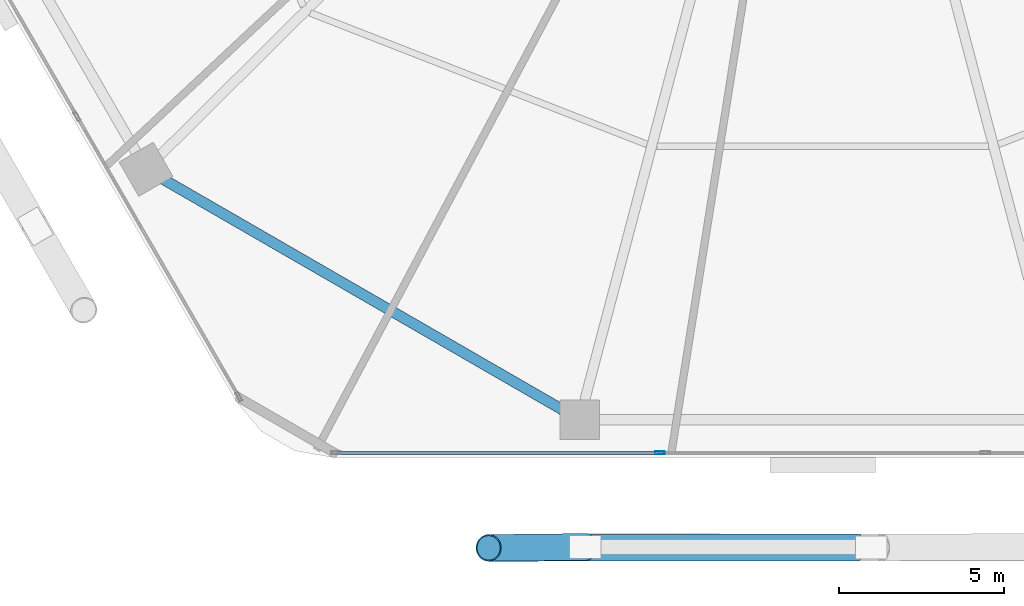
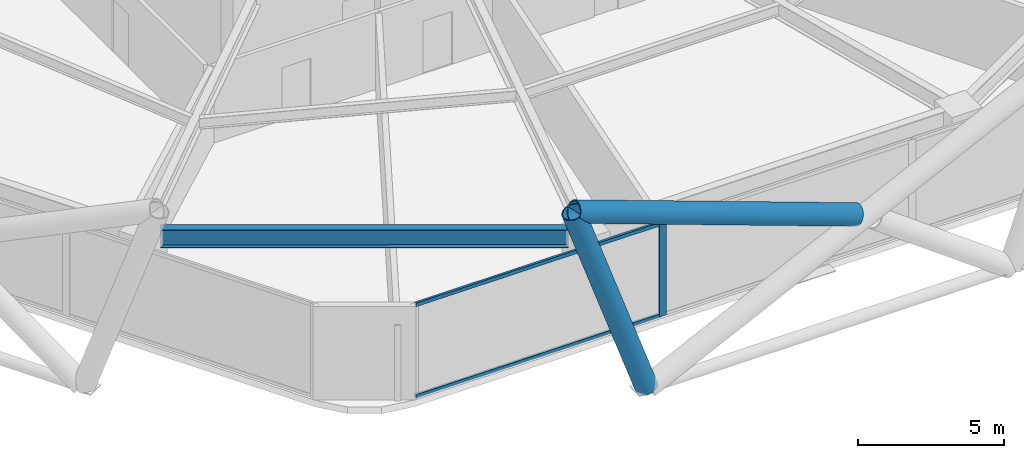
# One storey, part 3 of 30: 5 members, 1 beam, 1 element without a shape of its own.
"""IFC4 building model written with IfcOpenShell, lengths in metres."""

from ifc_helpers import new_model, si_unit, direction, frame, origin, origin_2d, place, context, subcontext, project, spatial, hollow_rectangle, hollow_circle, i_section, extrude, material, material_profile, profile_set, type_object, element, aggregate, save


model = new_model("IFC4")

# Units and contexts
model_context = context("Model", 3, precision=1e-05, world=origin(), true_north=direction((0.0, 1.0)))
body_context = subcontext(model_context, "Body", "Model", "MODEL_VIEW")
ifc_project = project(units=[si_unit("LENGTHUNIT", "METRE"), si_unit("AREAUNIT", "SQUARE_METRE"), si_unit("VOLUMEUNIT", "CUBIC_METRE"), si_unit("PLANEANGLEUNIT", "RADIAN"), si_unit("MASSUNIT", "GRAM", prefix="KILO")], contexts=[model_context])

# Site, building, storey
site_placement = place(None, origin())
site = spatial("IfcSite", under=ifc_project, at=site_placement, CompositionType="ELEMENT")
building_placement = place(site_placement, origin())
building = spatial("IfcBuilding", under=site, at=building_placement, Name="Zuhravey Tower", CompositionType="ELEMENT")
storey_placement = place(building_placement, frame((0.0, 0.0, 33.0)))
storey = spatial("IfcBuildingStorey", under=building, at=storey_placement, Name="L08", CompositionType="ELEMENT", Elevation=33.0)

# Curtain wall, members
ifc_material_1 = material(Name="Thermally broken anodised aluminium", Category="aluminium")
curtain_wall_type = type_object("IfcCurtainWallType", Name="School Low-E Unitised Curtain Wall CW1", PredefinedType="NOTDEFINED", material=ifc_material_1)
curtain_wall_placement = place(storey_placement, origin())
curtain_wall = element("IfcCurtainWall", 1, at=curtain_wall_placement, inside=storey, type_object=curtain_wall_type, Name="L08 CW1 CW-L08-F5-1", PredefinedType="NOTDEFINED")
ifc_material_2 = material(Name="Anodised aluminium", Category="aluminium")
ifc_material_profile_1 = material_profile(ifc_material_2, hollow_rectangle(XDim=0.090087890625, YDim=0.284912109375, WallThickness=0.0048828125, at=origin_2d()), Name="ALU-RHS-90x285x5")
ifc_profile_set_1 = profile_set([ifc_material_profile_1], Name="Anodised aluminium")
member_type_1 = type_object("IfcMemberType", Name="Curtain-Wall Mullion 90x180", PredefinedType="MULLION", material=ifc_profile_set_1)
member_1_placement = place(storey_placement, frame((31.06689453125, 3.04150390625, 0.0), z_axis=(0.0, 0.0, 1.0), x_axis=(0.0, -1.0, 0.0)))
member_1 = element("IfcMember", 2, at=member_1_placement, type_object=member_type_1, Name="CW1 mullion 3", PredefinedType="MULLION", context=body_context, shape_type="SweptSolid", body=[
    extrude(hollow_rectangle(XDim=0.090087890625, YDim=0.284912109375, WallThickness=0.0048828125, at=origin_2d()), origin(), (0.0, 0.0, 1.0), 3.919921875),
])
ifc_material_profile_2 = material_profile(ifc_material_2, hollow_rectangle(XDim=0.090087890625, YDim=0.14990234375, WallThickness=0.0048828125, at=origin_2d()), Name="ALU-RHS-90x150x5")
ifc_profile_set_2 = profile_set([ifc_material_profile_2], Name="Anodised aluminium")
member_type_2 = type_object("IfcMemberType", Name="Curtain-Wall Transom 90x150", PredefinedType="USERDEFINED", material=ifc_profile_set_2)
member_2_placement = place(storey_placement, frame((31.021728515625, 3.04150390625, 0.044921875), z_axis=(-1.0, 0.0, 0.0), x_axis=(0.0, -1.0, 0.0)))
member_2 = element("IfcMember", 3, at=member_2_placement, type_object=member_type_2, Name="CW1 transom 3.1", ObjectType="TRANSOM", PredefinedType="USERDEFINED", context=body_context, shape_type="SweptSolid", body=[
    extrude(hollow_rectangle(XDim=0.090087890625, YDim=0.14990234375, WallThickness=0.0048828125, at=origin_2d()), origin(), (0.0, 0.0, 1.0), 9.731201171875),
])
member_3_placement = place(storey_placement, frame((31.021728515625, 3.04150390625, 3.875), z_axis=(-1.0, 0.0, 0.0), x_axis=(0.0, -1.0, 0.0)))
member_3 = element("IfcMember", 4, at=member_3_placement, type_object=member_type_2, Name="CW1 transom 3.2", ObjectType="TRANSOM", PredefinedType="USERDEFINED", context=body_context, shape_type="SweptSolid", body=[
    extrude(hollow_rectangle(XDim=0.090087890625, YDim=0.14990234375, WallThickness=0.0048828125, at=origin_2d()), origin(), (0.0, 0.0, 1.0), 9.731201171875),
])
aggregate(curtain_wall, [member_1, member_2, member_3])

# Members
ifc_material_3 = material(Name="Steel SM460", Category="steel")
ifc_material_profile_3 = material_profile(ifc_material_3, hollow_circle(Radius=0.406494140625, WallThickness=0.035888671875, at=origin_2d()), Name="CHS-812.8x36")
ifc_profile_set_3 = profile_set([ifc_material_profile_3], Name="Steel SM460")
member_type_3 = type_object("IfcMemberType", Name="Exoskeleton Zone 1 Diagrid CHS813x36", PredefinedType="BRACE", material=ifc_profile_set_3)
member_4_placement = place(storey_placement, frame((28.79833984375, 0.19140625, -0.471923828125), z_axis=(-0.330640861788, -0.003364038457, 0.943750657622), x_axis=(0.010173770828, -0.999948245854, 0.0)))
element("IfcMember", 5, at=member_4_placement, inside=storey, type_object=member_type_3, Name="L08 Face 5 Diagrid Brace 1", PredefinedType="BRACE", context=body_context, shape_type="SweptSolid", body=[
    extrude(hollow_circle(Radius=0.406494140625, WallThickness=0.035888671875, at=origin_2d()), origin(), (0.0, 0.0, 1.0), 8.85400390625),
])
member_5_placement = place(storey_placement, frame((37.0986328125, 0.176025390625, 3.8408203125), z_axis=(-0.940338524812, -0.001210665844, 0.340238141664), x_axis=(0.001287477657, -0.9999991712, 0.0)))
element("IfcMember", 6, at=member_5_placement, inside=storey, type_object=member_type_3, Name="L08 Face 5 Split Diagrid Brace 3B", PredefinedType="BRACE", context=body_context, shape_type="SweptSolid", body=[
    extrude(hollow_circle(Radius=0.406494140625, WallThickness=0.035888671875, at=origin_2d()), origin(), (0.0, 0.0, 1.0), 11.89794921875),
])

# Beam
ifc_material_4 = material(Name="Steel SM355", Category="steel")
ifc_material_profile_4 = material_profile(ifc_material_4, i_section(OverallWidth=0.320068359375, OverallDepth=0.75, WebThickness=0.013916015625, FlangeThickness=0.02490234375, at=origin_2d()), Name="H-750x320x14x25")
ifc_profile_set_4 = profile_set([ifc_material_profile_4], Name="Steel SM355")
beam_type = type_object("IfcBeamType", Name="Perimeter Ring Beam H750x320", PredefinedType="BEAM", material=ifc_profile_set_4)
beam_placement = place(storey_placement, frame((16.003173828125, 11.341552734375, 3.544921875), z_axis=(0.866029969761, -0.499992091414, 0.0), x_axis=(0.499992091414, 0.866029969761, 0.0)))
element("IfcBeam", 7, at=beam_placement, inside=storey, type_object=beam_type, Name="L08 PB1 BM-L08-PB-08", PredefinedType="BEAM", context=body_context, shape_type="SweptSolid", body=[
    extrude(i_section(OverallWidth=0.320068359375, OverallDepth=0.75, WebThickness=0.013916015625, FlangeThickness=0.02490234375, at=origin_2d()), origin(), (0.0, 0.0, 1.0), 13.977294921875),
])

save(model, "model.ifc")
